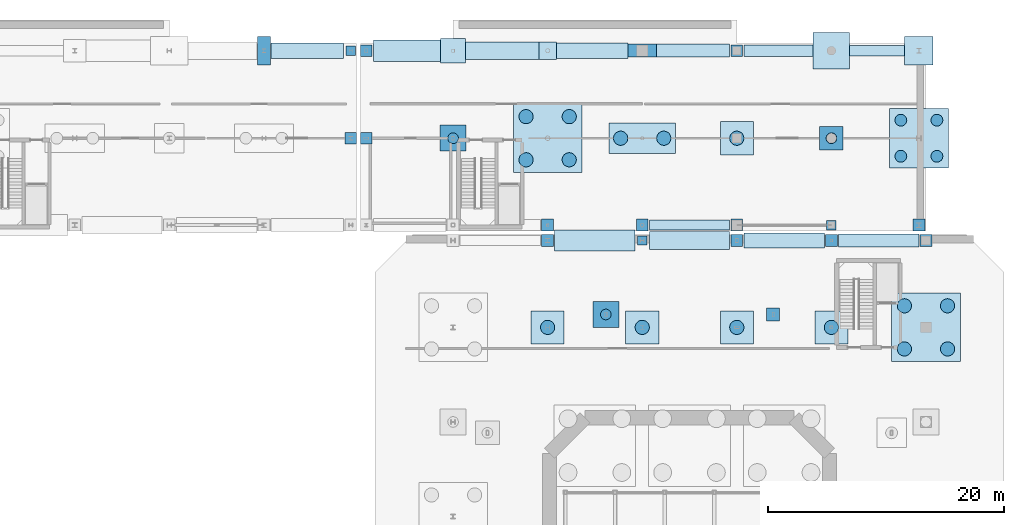
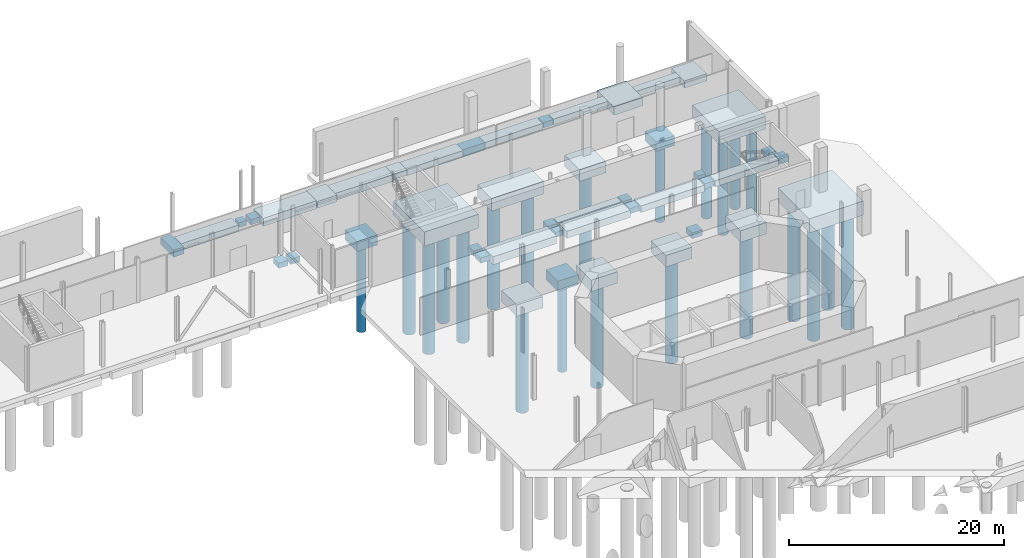
# One storey, part 3 of 33: 46 footings, 22 piles.
"""IFC4 building model written with IfcOpenShell, lengths in metres."""

from ifc_helpers import new_model, si_unit, direction, frame, origin, origin_2d, place, context, subcontext, project, spatial, rectangle, circle, extrude, material, material_profile, profile_set, type_object, element, save


model = new_model("IFC4")

# Units and contexts
model_context = context("Model", 3, precision=1e-05, world=origin(), true_north=direction((0.0, 1.0)))
body_context = subcontext(model_context, "Body", "Model", "MODEL_VIEW")
ifc_project = project(units=[si_unit("LENGTHUNIT", "METRE"), si_unit("AREAUNIT", "SQUARE_METRE"), si_unit("VOLUMEUNIT", "CUBIC_METRE"), si_unit("PLANEANGLEUNIT", "RADIAN"), si_unit("MASSUNIT", "GRAM", prefix="KILO")], contexts=[model_context])

# Site, building, storey
site_placement = place(None, origin())
site = spatial("IfcSite", under=ifc_project, at=site_placement, CompositionType="ELEMENT")
building_placement = place(site_placement, origin())
building = spatial("IfcBuilding", under=site, at=building_placement, Name="Brisemont Oceanarium", CompositionType="ELEMENT")
storey_placement = place(building_placement, frame((0.0, 0.0, -5.39990234375)))
storey = spatial("IfcBuildingStorey", under=building, at=storey_placement, Name="B01", CompositionType="ELEMENT", Elevation=-5.39990234375)

# Footings
ifc_material_1 = material(Name="Concrete C40/50", Category="concrete")
footing_type_1 = type_object("IfcFootingType", Name="FTG-PAD-1000", PredefinedType="PAD_FOOTING", material=ifc_material_1)
for number, where, z_axis, x_axis, name in (
    (1, (72.0, 79.35009765625, -1.150146484375), (0.0, 0.0, 1.0), (1.0, 0.0, 0.0), "PF-15 spread footing at (72.0,79.3)"),
    (2, (88.0, 79.35009765625, -1.150146484375), (0.0, 0.0, 1.0), (1.0, 0.0, 0.0), "PF-15 spread footing at (88.0,79.3)"),
    (3, (96.0, 79.35009765625, -1.150146484375), (0.0, 0.0, 1.0), (1.0, 0.0, 0.0), "PF-15 spread footing at (96.0,79.3)"),
    (4, (104.0, 79.35009765625, -1.150146484375), (0.0, 0.0, 1.0), (1.0, 0.0, 0.0), "PF-15 spread footing at (104.0,79.3)"),
    (5, (55.35009765625, 88.0, -1.150146484375), (0.0, 0.0, 1.0), (1.0, 0.0, 0.0), "PF-15 spread footing at (55.4,88.0)"),
    (6, (56.64990234375, 88.0, -1.150146484375), (0.0, 0.0, 1.0), (1.0, 0.0, 0.0), "PF-15 spread footing at (56.6,88.0)"),
    (7, (56.64990234375, 95.39990234375, -1.150146484375), (0.0, 0.0, 1.0), (1.0, 0.0, 0.0), "PF-15 spread footing at (56.6,95.4)"),
    (8, (72.0, 80.64990234375, -1.150146484375), (0.0, 0.0, 1.0), (1.0, 0.0, 0.0), "PF-15 spread footing at (72.0,80.7)"),
    (9, (80.0, 80.64990234375, -1.150146484375), (0.0, 0.0, 1.0), (1.0, 0.0, 0.0), "PF-15 spread footing at (80.0,80.7)"),
    (10, (88.0, 80.64990234375, -1.150146484375), (0.0, 0.0, 1.0), (1.0, 0.0, 0.0), "PF-15 spread footing at (88.0,80.7)"),
    (11, (88.0, 95.39990234375, -1.150146484375), (0.0, 0.0, 1.0), (1.0, 0.0, 0.0), "PF-15 spread footing at (88.0,95.4)"),
    (12, (103.39990234375, 80.64990234375, -1.150146484375), (0.0, 0.0, 1.0), (1.0, 0.0, 0.0), "PF-15 spread footing at (103.4,80.7)"),
):
    element("IfcFooting", number, at=place(storey_placement, frame(where, z_axis=z_axis, x_axis=x_axis)), inside=storey, type_object=footing_type_1, Name=name, PredefinedType="PAD_FOOTING", context=body_context, shape_type="SweptSolid", body=[
        extrude(rectangle(XDim=1.0, YDim=1.0, at=origin_2d()), origin(), (0.0, 0.0, 1.0), 0.60009765625),
    ])
ifc_material_2 = material(Name="Concrete C40/50", Category="concrete")
footing_type_2 = type_object("IfcFootingType", Name="FTG-PAD-1100", PredefinedType="PAD_FOOTING", material=ifc_material_2)
footing_1_placement = place(storey_placement, frame((91.07958984375, 73.091796875, -1.199951171875), z_axis=(0.0, 0.0, 1.0), x_axis=(1.0, 0.0, 0.0)))
element("IfcFooting", 13, at=footing_1_placement, inside=storey, type_object=footing_type_2, Name="PF-14 spread footing at (91.1,73.1)", PredefinedType="PAD_FOOTING", context=body_context, shape_type="SweptSolid", body=[
    extrude(rectangle(XDim=1.10009765625, YDim=1.10009765625, at=origin_2d()), origin(), (0.0, 0.0, 1.0), 0.64990234375),
])
ifc_material_3 = material(Name="Concrete C40/50", Category="concrete")
footing_type_3 = type_object("IfcFootingType", Name="FTG-PAD-1100X2400", PredefinedType="PAD_FOOTING", material=ifc_material_3)
footing_2_placement = place(storey_placement, frame((48.0, 95.39990234375, -1.35009765625), z_axis=(0.0, 0.0, 1.0), x_axis=(1.0, 0.0, 0.0)))
element("IfcFooting", 14, at=footing_2_placement, inside=storey, type_object=footing_type_3, Name="PF-13 spread footing at (48.0,95.4)", PredefinedType="PAD_FOOTING", context=body_context, shape_type="SweptSolid", body=[
    extrude(rectangle(XDim=1.10009765625, YDim=2.39990234375, at=origin_2d()), origin(), (0.0, 0.0, 1.0), 0.800048828125),
])
ifc_material_4 = material(Name="Concrete C40/50", Category="concrete")
footing_type_4 = type_object("IfcFootingType", Name="FTG-PAD-1500", PredefinedType="PAD_FOOTING", material=ifc_material_4)
footing_3_placement = place(storey_placement, frame((72.0, 95.39990234375, -1.150146484375), z_axis=(0.0, 0.0, 1.0), x_axis=(1.0, 0.0, 0.0)))
element("IfcFooting", 15, at=footing_3_placement, inside=storey, type_object=footing_type_4, Name="PF-09 spread footing at (72.0,95.4)", PredefinedType="PAD_FOOTING", context=body_context, shape_type="SweptSolid", body=[
    extrude(rectangle(XDim=1.5, YDim=1.5, at=origin_2d()), origin(), (0.0, 0.0, 1.0), 0.60009765625),
])
ifc_material_5 = material(Name="Concrete C40/50", Category="concrete")
footing_type_5 = type_object("IfcFootingType", Name="FTG-PAD-2100", PredefinedType="PAD_FOOTING", material=ifc_material_5)
footing_4_placement = place(storey_placement, frame((64.0, 95.39990234375, -1.300048828125), z_axis=(0.0, 0.0, 1.0), x_axis=(1.0, 0.0, 0.0)))
element("IfcFooting", 16, at=footing_4_placement, inside=storey, type_object=footing_type_5, Name="PF-06 spread footing at (64.0,95.4)", PredefinedType="PAD_FOOTING", context=body_context, shape_type="SweptSolid", body=[
    extrude(rectangle(XDim=2.10009765625, YDim=2.10009765625, at=origin_2d()), origin(), (0.0, 0.0, 1.0), 0.75),
])
ifc_material_6 = material(Name="Concrete C40/50", Category="concrete")
footing_type_6 = type_object("IfcFootingType", Name="FTG-PAD-2400", PredefinedType="PAD_FOOTING", material=ifc_material_6)
footing_5_placement = place(storey_placement, frame((103.39990234375, 95.39990234375, -1.35009765625), z_axis=(0.0, 0.0, 1.0), x_axis=(1.0, 0.0, 0.0)))
element("IfcFooting", 17, at=footing_5_placement, inside=storey, type_object=footing_type_6, Name="PF-05 spread footing at (103.4,95.4)", PredefinedType="PAD_FOOTING", context=body_context, shape_type="SweptSolid", body=[
    extrude(rectangle(XDim=2.39990234375, YDim=2.39990234375, at=origin_2d()), origin(), (0.0, 0.0, 1.0), 0.800048828125),
])
ifc_material_7 = material(Name="Concrete C40/50", Category="concrete")
footing_type_7 = type_object("IfcFootingType", Name="FTG-PAD-2400X1100", PredefinedType="PAD_FOOTING", material=ifc_material_7)
footing_6_placement = place(storey_placement, frame((80.0, 95.39990234375, -1.35009765625), z_axis=(0.0, 0.0, 1.0), x_axis=(1.0, 0.0, 0.0)))
element("IfcFooting", 18, at=footing_6_placement, inside=storey, type_object=footing_type_7, Name="PF-12 spread footing at (80.0,95.4)", PredefinedType="PAD_FOOTING", context=body_context, shape_type="SweptSolid", body=[
    extrude(rectangle(XDim=2.39990234375, YDim=1.10009765625, at=origin_2d()), origin(), (0.0, 0.0, 1.0), 0.800048828125),
])
ifc_material_8 = material(Name="Concrete C40/50", Category="concrete")
footing_type_8 = type_object("IfcFootingType", Name="FTG-PAD-3100", PredefinedType="PAD_FOOTING", material=ifc_material_8)
footing_7_placement = place(storey_placement, frame((96.0, 95.39990234375, -1.5), z_axis=(0.0, 0.0, 1.0), x_axis=(1.0, 0.0, 0.0)))
element("IfcFooting", 19, at=footing_7_placement, inside=storey, type_object=footing_type_8, Name="PF-02 spread footing at (96.0,95.4)", PredefinedType="PAD_FOOTING", context=body_context, shape_type="SweptSolid", body=[
    extrude(rectangle(XDim=3.10009765625, YDim=3.10009765625, at=origin_2d()), origin(), (0.0, 0.0, 1.0), 0.949951171875),
])
ifc_material_9 = material(Name="Concrete C40/50", Category="concrete")
footing_type_9 = type_object("IfcFootingType", Name="FTG-PAD-800", PredefinedType="PAD_FOOTING", material=ifc_material_9)
for number, where, z_axis, x_axis, name in (
    (20, (80.0, 79.35009765625, -1.10009765625), (0.0, 0.0, 1.0), (1.0, 0.0, 0.0), "PF-16 spread footing at (80.0,79.3)"),
    (21, (55.35009765625, 95.39990234375, -1.10009765625), (0.0, 0.0, 1.0), (1.0, 0.0, 0.0), "PF-16 spread footing at (55.4,95.4)"),
    (22, (96.0, 80.64990234375, -1.10009765625), (0.0, 0.0, 1.0), (1.0, 0.0, 0.0), "PF-16 spread footing at (96.0,80.7)"),
):
    element("IfcFooting", number, at=place(storey_placement, frame(where, z_axis=z_axis, x_axis=x_axis)), inside=storey, type_object=footing_type_9, Name=name, PredefinedType="PAD_FOOTING", context=body_context, shape_type="SweptSolid", body=[
        extrude(rectangle(XDim=0.800048828125, YDim=0.800048828125, at=origin_2d()), origin(), (0.0, 0.0, 1.0), 0.550048828125),
    ])
ifc_material_10 = material(Name="Concrete C40/50", Category="concrete")
footing_type_10 = type_object("IfcFootingType", Name="FTG-PC-1P-2000", PredefinedType="PILE_CAP", material=ifc_material_10)
footing_8_placement = place(storey_placement, frame((96.0, 88.0, -1.650146484375), z_axis=(0.0, 0.0, 1.0), x_axis=(1.0, 0.0, 0.0)))
element("IfcFooting", 23, at=footing_8_placement, inside=storey, type_object=footing_type_10, Name="PC-11 pile cap at (96.0,88.0)", PredefinedType="PILE_CAP", context=body_context, shape_type="SweptSolid", body=[
    extrude(rectangle(XDim=2.0, YDim=2.0, at=origin_2d()), origin(), (0.0, 0.0, 1.0), 1.10009765625),
])
ifc_material_11 = material(Name="Concrete C40/50", Category="concrete")
footing_type_11 = type_object("IfcFootingType", Name="FTG-PC-1P-2200", PredefinedType="PILE_CAP", material=ifc_material_11)
for number, where, z_axis, x_axis, name in (
    (24, (64.0, 88.0, -1.699951171875), (0.0, 0.0, 1.0), (1.0, 0.0, 0.0), "PC-10 pile cap at (64.0,88.0)"),
    (25, (76.92041015625, 73.091796875, -1.699951171875), (0.0, 0.0, 1.0), (1.0, 0.0, 0.0), "PC-10 pile cap at (76.9,73.1)"),
):
    element("IfcFooting", number, at=place(storey_placement, frame(where, z_axis=z_axis, x_axis=x_axis)), inside=storey, type_object=footing_type_11, Name=name, PredefinedType="PILE_CAP", context=body_context, shape_type="SweptSolid", body=[
        extrude(rectangle(XDim=2.199951171875, YDim=2.199951171875, at=origin_2d()), origin(), (0.0, 0.0, 1.0), 1.14990234375),
    ])
ifc_material_12 = material(Name="Concrete C40/50", Category="concrete")
footing_type_12 = type_object("IfcFootingType", Name="FTG-PC-1P-2800", PredefinedType="PILE_CAP", material=ifc_material_12)
for number, where, z_axis, x_axis, name in (
    (26, (72.0, 72.0, -1.85009765625), (0.0, 0.0, 1.0), (1.0, 0.0, 0.0), "PC-08 pile cap at (72.0,72.0)"),
    (27, (80.0, 72.0, -1.85009765625), (0.0, 0.0, 1.0), (1.0, 0.0, 0.0), "PC-08 pile cap at (80.0,72.0)"),
    (28, (88.0, 72.0, -1.85009765625), (0.0, 0.0, 1.0), (1.0, 0.0, 0.0), "PC-08 pile cap at (88.0,72.0)"),
    (29, (96.0, 72.0, -1.85009765625), (0.0, 0.0, 1.0), (1.0, 0.0, 0.0), "PC-08 pile cap at (96.0,72.0)"),
    (30, (88.0, 88.0, -1.85009765625), (0.0, 0.0, 1.0), (1.0, 0.0, 0.0), "PC-08 pile cap at (88.0,88.0)"),
):
    element("IfcFooting", number, at=place(storey_placement, frame(where, z_axis=z_axis, x_axis=x_axis)), inside=storey, type_object=footing_type_12, Name=name, PredefinedType="PILE_CAP", context=body_context, shape_type="SweptSolid", body=[
        extrude(rectangle(XDim=2.800048828125, YDim=2.800048828125, at=origin_2d()), origin(), (0.0, 0.0, 1.0), 1.300048828125),
    ])
ifc_material_13 = material(Name="Concrete C40/50", Category="concrete")
footing_type_13 = type_object("IfcFootingType", Name="FTG-PC-2P-5600", PredefinedType="PILE_CAP", material=ifc_material_13)
footing_9_placement = place(storey_placement, frame((80.0, 88.0, -2.0), z_axis=(0.0, 0.0, 1.0), x_axis=(1.0, 0.0, 0.0)))
element("IfcFooting", 31, at=footing_9_placement, inside=storey, type_object=footing_type_13, Name="PC-05 pile cap at (80.0,88.0)", PredefinedType="PILE_CAP", context=body_context, shape_type="SweptSolid", body=[
    extrude(rectangle(XDim=5.60009765625, YDim=2.60009765625, at=origin_2d()), origin(), (0.0, 0.0, 1.0), 1.449951171875),
])
ifc_material_14 = material(Name="Concrete C40/50", Category="concrete")
footing_type_14 = type_object("IfcFootingType", Name="FTG-PC-4P-5000", PredefinedType="PILE_CAP", material=ifc_material_14)
footing_10_placement = place(storey_placement, frame((103.39990234375, 88.0, -2.0), z_axis=(0.0, 0.0, 1.0), x_axis=(1.0, 0.0, 0.0)))
element("IfcFooting", 32, at=footing_10_placement, inside=storey, type_object=footing_type_14, Name="PC-03 pile cap at (103.4,88.0)", PredefinedType="PILE_CAP", context=body_context, shape_type="SweptSolid", body=[
    extrude(rectangle(XDim=5.0, YDim=5.0, at=origin_2d()), origin(), (0.0, 0.0, 1.0), 1.449951171875),
])
ifc_material_15 = material(Name="Concrete C40/50", Category="concrete")
footing_type_15 = type_object("IfcFootingType", Name="FTG-PC-4P-5800", PredefinedType="PILE_CAP", material=ifc_material_15)
for number, where, z_axis, x_axis, name in (
    (33, (104.0, 72.0, -2.150146484375), (0.0, 0.0, 1.0), (1.0, 0.0, 0.0), "PC-02 pile cap at (104.0,72.0)"),
    (34, (72.0, 88.0, -2.150146484375), (0.0, 0.0, 1.0), (1.0, 0.0, 0.0), "PC-02 pile cap at (72.0,88.0)"),
):
    element("IfcFooting", number, at=place(storey_placement, frame(where, z_axis=z_axis, x_axis=x_axis)), inside=storey, type_object=footing_type_15, Name=name, PredefinedType="PILE_CAP", context=body_context, shape_type="SweptSolid", body=[
        extrude(rectangle(XDim=5.800048828125, YDim=5.800048828125, at=origin_2d()), origin(), (0.0, 0.0, 1.0), 1.60009765625),
    ])
ifc_material_16 = material(Name="Concrete C40/50", Category="concrete")
footing_type_16 = type_object("IfcFootingType", Name="FTG-SF-1100X700", PredefinedType="STRIP_FOOTING", material=ifc_material_16)
footing_11_placement = place(storey_placement, frame((100.0, 79.35009765625, -1.25), z_axis=(0.0, 0.0, 1.0), x_axis=(1.0, 0.0, 0.0)))
element("IfcFooting", 35, at=footing_11_placement, inside=storey, type_object=footing_type_16, Name="SF-04 continuous strip footing", PredefinedType="STRIP_FOOTING", context=body_context, shape_type="SweptSolid", body=[
    extrude(rectangle(XDim=6.800048828125, YDim=1.10009765625, at=origin_2d()), origin(), (0.0, 0.0, 1.0), 0.699951171875),
])
footing_12_placement = place(storey_placement, frame((84.300048828125, 95.39990234375, -1.25), z_axis=(0.0, 0.0, 1.0), x_axis=(1.0, 0.0, 0.0)))
element("IfcFooting", 36, at=footing_12_placement, inside=storey, type_object=footing_type_16, Name="SF-04 continuous strip footing", PredefinedType="STRIP_FOOTING", context=body_context, shape_type="SweptSolid", body=[
    extrude(rectangle(XDim=6.199951171875, YDim=1.10009765625, at=origin_2d()), origin(), (0.0, 0.0, 1.0), 0.699951171875),
])
ifc_material_17 = material(Name="Concrete C40/50", Category="concrete")
footing_type_17 = type_object("IfcFootingType", Name="FTG-SF-1300X750", PredefinedType="STRIP_FOOTING", material=ifc_material_17)
footing_13_placement = place(storey_placement, frame((92.0, 79.35009765625, -1.300048828125), z_axis=(0.0, 0.0, 1.0), x_axis=(1.0, 0.0, 0.0)))
element("IfcFooting", 37, at=footing_13_placement, inside=storey, type_object=footing_type_17, Name="SF-03 continuous strip footing", PredefinedType="STRIP_FOOTING", context=body_context, shape_type="SweptSolid", body=[
    extrude(rectangle(XDim=6.800048828125, YDim=1.300048828125, at=origin_2d()), origin(), (0.0, 0.0, 1.0), 0.75),
])
footing_14_placement = place(storey_placement, frame((51.675048828125, 95.39990234375, -1.300048828125), z_axis=(0.0, 0.0, 1.0), x_axis=(1.0, 0.0, 0.0)))
element("IfcFooting", 38, at=footing_14_placement, inside=storey, type_object=footing_type_17, Name="SF-03 continuous strip footing", PredefinedType="STRIP_FOOTING", context=body_context, shape_type="SweptSolid", body=[
    extrude(rectangle(XDim=6.14990234375, YDim=1.300048828125, at=origin_2d()), origin(), (0.0, 0.0, 1.0), 0.75),
])
footing_15_placement = place(storey_placement, frame((75.77490234375, 95.39990234375, -1.300048828125), z_axis=(0.0, 0.0, 1.0), x_axis=(1.0, 0.0, 0.0)))
element("IfcFooting", 39, at=footing_15_placement, inside=storey, type_object=footing_type_17, Name="SF-03 continuous strip footing", PredefinedType="STRIP_FOOTING", context=body_context, shape_type="SweptSolid", body=[
    extrude(rectangle(XDim=6.050048828125, YDim=1.300048828125, at=origin_2d()), origin(), (0.0, 0.0, 1.0), 0.75),
])
ifc_material_18 = material(Name="Concrete C40/50", Category="concrete")
footing_type_18 = type_object("IfcFootingType", Name="FTG-SF-1500X800", PredefinedType="STRIP_FOOTING", material=ifc_material_18)
footing_16_placement = place(storey_placement, frame((84.0, 79.35009765625, -1.35009765625), z_axis=(0.0, 0.0, 1.0), x_axis=(1.0, 0.0, 0.0)))
element("IfcFooting", 40, at=footing_16_placement, inside=storey, type_object=footing_type_18, Name="SF-02 continuous strip footing", PredefinedType="STRIP_FOOTING", context=body_context, shape_type="SweptSolid", body=[
    extrude(rectangle(XDim=6.800048828125, YDim=1.5, at=origin_2d()), origin(), (0.0, 0.0, 1.0), 0.800048828125),
])
footing_17_placement = place(storey_placement, frame((68.14990234375, 95.39990234375, -1.35009765625), z_axis=(0.0, 0.0, 1.0), x_axis=(1.0, 0.0, 0.0)))
element("IfcFooting", 41, at=footing_17_placement, inside=storey, type_object=footing_type_18, Name="SF-02 continuous strip footing", PredefinedType="STRIP_FOOTING", context=body_context, shape_type="SweptSolid", body=[
    extrude(rectangle(XDim=6.199951171875, YDim=1.5, at=origin_2d()), origin(), (0.0, 0.0, 1.0), 0.800048828125),
])
ifc_material_19 = material(Name="Concrete C40/50", Category="concrete")
footing_type_19 = type_object("IfcFootingType", Name="FTG-SF-1800X900", PredefinedType="STRIP_FOOTING", material=ifc_material_19)
footing_18_placement = place(storey_placement, frame((76.0, 79.35009765625, -1.449951171875), z_axis=(0.0, 0.0, 1.0), x_axis=(1.0, 0.0, 0.0)))
element("IfcFooting", 42, at=footing_18_placement, inside=storey, type_object=footing_type_19, Name="SF-01 continuous strip footing", PredefinedType="STRIP_FOOTING", context=body_context, shape_type="SweptSolid", body=[
    extrude(rectangle(XDim=6.800048828125, YDim=1.800048828125, at=origin_2d()), origin(), (0.0, 0.0, 1.0), 0.89990234375),
])
footing_19_placement = place(storey_placement, frame((60.10009765625, 95.39990234375, -1.449951171875), z_axis=(0.0, 0.0, 1.0), x_axis=(1.0, 0.0, 0.0)))
element("IfcFooting", 43, at=footing_19_placement, inside=storey, type_object=footing_type_19, Name="SF-01 continuous strip footing", PredefinedType="STRIP_FOOTING", context=body_context, shape_type="SweptSolid", body=[
    extrude(rectangle(XDim=5.699951171875, YDim=1.800048828125, at=origin_2d()), origin(), (0.0, 0.0, 1.0), 0.89990234375),
])
ifc_material_20 = material(Name="Concrete C40/50", Category="concrete")
footing_type_20 = type_object("IfcFootingType", Name="FTG-SF-850X600", PredefinedType="STRIP_FOOTING", material=ifc_material_20)
footing_20_placement = place(storey_placement, frame((84.0, 80.64990234375, -1.150146484375), z_axis=(0.0, 0.0, 1.0), x_axis=(1.0, 0.0, 0.0)))
element("IfcFooting", 44, at=footing_20_placement, inside=storey, type_object=footing_type_20, Name="SF-06 continuous strip footing", PredefinedType="STRIP_FOOTING", context=body_context, shape_type="SweptSolid", body=[
    extrude(rectangle(XDim=6.800048828125, YDim=0.85009765625, at=origin_2d()), origin(), (0.0, 0.0, 1.0), 0.60009765625),
])
footing_21_placement = place(storey_placement, frame((99.875, 95.39990234375, -1.150146484375), z_axis=(0.0, 0.0, 1.0), x_axis=(1.0, 0.0, 0.0)))
element("IfcFooting", 45, at=footing_21_placement, inside=storey, type_object=footing_type_20, Name="SF-06 continuous strip footing", PredefinedType="STRIP_FOOTING", context=body_context, shape_type="SweptSolid", body=[
    extrude(rectangle(XDim=4.64990234375, YDim=0.85009765625, at=origin_2d()), origin(), (0.0, 0.0, 1.0), 0.60009765625),
])
ifc_material_21 = material(Name="Concrete C40/50", Category="concrete")
footing_type_21 = type_object("IfcFootingType", Name="FTG-SF-950X650", PredefinedType="STRIP_FOOTING", material=ifc_material_21)
footing_22_placement = place(storey_placement, frame((91.52490234375, 95.39990234375, -1.199951171875), z_axis=(0.0, 0.0, 1.0), x_axis=(1.0, 0.0, 0.0)))
element("IfcFooting", 46, at=footing_22_placement, inside=storey, type_object=footing_type_21, Name="SF-05 continuous strip footing", PredefinedType="STRIP_FOOTING", context=body_context, shape_type="SweptSolid", body=[
    extrude(rectangle(XDim=5.85009765625, YDim=0.949951171875, at=origin_2d()), origin(), (0.0, 0.0, 1.0), 0.64990234375),
])

# Piles
ifc_material_22 = material(Name="Concrete C40/50", Category="concrete")
ifc_material_profile_1 = material_profile(ifc_material_22, circle(Radius=0.5, at=origin_2d()), Name="CIDH-D1000")
ifc_profile_set_1 = profile_set([ifc_material_profile_1], Name="Concrete C40/50")
pile_type_1 = type_object("IfcPileType", Name="PIL-CIDH-1000-11", PredefinedType="BORED", material=ifc_profile_set_1)
for number, where, z_axis, x_axis, name in (
    (47, (101.875, 86.47509765625, -1.900146484375), (0.0, 0.0, -1.0), (1.0, 0.0, 0.0), "P-04 rock-socketed shaft 1"),
    (48, (104.925048828125, 86.47509765625, -1.900146484375), (0.0, 0.0, -1.0), (1.0, 0.0, 0.0), "P-04 rock-socketed shaft 2"),
    (49, (101.875, 89.52490234375, -1.900146484375), (0.0, 0.0, -1.0), (1.0, 0.0, 0.0), "P-04 rock-socketed shaft 3"),
    (50, (104.925048828125, 89.52490234375, -1.900146484375), (0.0, 0.0, -1.0), (1.0, 0.0, 0.0), "P-04 rock-socketed shaft 4"),
):
    element("IfcPile", number, at=place(storey_placement, frame(where, z_axis=z_axis, x_axis=x_axis)), inside=storey, type_object=pile_type_1, Name=name, PredefinedType="BORED", context=body_context, shape_type="SweptSolid", body=[
        extrude(circle(Radius=0.5, at=origin_2d()), origin(), (0.0, 0.0, 1.0), 11.0),
    ])
ifc_material_23 = material(Name="Concrete C40/50", Category="concrete")
ifc_material_profile_2 = material_profile(ifc_material_23, circle(Radius=0.60009765625, at=origin_2d()), Name="CIDH-D1200")
ifc_profile_set_2 = profile_set([ifc_material_profile_2], Name="Concrete C40/50")
pile_type_2 = type_object("IfcPileType", Name="PIL-CIDH-1200-12", PredefinedType="BORED", material=ifc_profile_set_2)
for number, where, z_axis, x_axis, name in (
    (51, (72.0, 72.0, -1.75), (0.0, 0.0, -1.0), (1.0, 0.0, 0.0), "P-03 rock-socketed shaft 1"),
    (52, (80.0, 72.0, -1.75), (0.0, 0.0, -1.0), (1.0, 0.0, 0.0), "P-03 rock-socketed shaft 1"),
    (53, (88.0, 72.0, -1.75), (0.0, 0.0, -1.0), (1.0, 0.0, 0.0), "P-03 rock-socketed shaft 1"),
    (54, (96.0, 72.0, -1.75), (0.0, 0.0, -1.0), (1.0, 0.0, 0.0), "P-03 rock-socketed shaft 1"),
    (55, (78.175048828125, 88.0, -1.900146484375), (0.0, 0.0, -1.0), (1.0, 0.0, 0.0), "P-03 rock-socketed shaft 1"),
    (56, (81.824951171875, 88.0, -1.900146484375), (0.0, 0.0, -1.0), (1.0, 0.0, 0.0), "P-03 rock-socketed shaft 2"),
    (57, (88.0, 88.0, -1.75), (0.0, 0.0, -1.0), (1.0, 0.0, 0.0), "P-03 rock-socketed shaft 1"),
):
    element("IfcPile", number, at=place(storey_placement, frame(where, z_axis=z_axis, x_axis=x_axis)), inside=storey, type_object=pile_type_2, Name=name, PredefinedType="BORED", context=body_context, shape_type="SweptSolid", body=[
        extrude(circle(Radius=0.60009765625, at=origin_2d()), origin(), (0.0, 0.0, 1.0), 12.0),
    ])
ifc_material_24 = material(Name="Concrete C40/50", Category="concrete")
ifc_material_profile_3 = material_profile(ifc_material_24, circle(Radius=0.60009765625, at=origin_2d()), Name="CIDH-D1200")
ifc_profile_set_3 = profile_set([ifc_material_profile_3], Name="Concrete C40/50")
pile_type_3 = type_object("IfcPileType", Name="PIL-CIDH-1200-13", PredefinedType="BORED", material=ifc_profile_set_3)
for number, where, z_axis, x_axis, name in (
    (58, (102.175048828125, 70.175048828125, -2.050048828125), (0.0, 0.0, -1.0), (1.0, 0.0, 0.0), "P-02 rock-socketed shaft 1"),
    (59, (105.824951171875, 70.175048828125, -2.050048828125), (0.0, 0.0, -1.0), (1.0, 0.0, 0.0), "P-02 rock-socketed shaft 2"),
    (60, (102.175048828125, 73.824951171875, -2.050048828125), (0.0, 0.0, -1.0), (1.0, 0.0, 0.0), "P-02 rock-socketed shaft 3"),
    (61, (105.824951171875, 73.824951171875, -2.050048828125), (0.0, 0.0, -1.0), (1.0, 0.0, 0.0), "P-02 rock-socketed shaft 4"),
    (62, (70.175048828125, 86.175048828125, -2.050048828125), (0.0, 0.0, -1.0), (1.0, 0.0, 0.0), "P-02 rock-socketed shaft 1"),
    (63, (73.824951171875, 86.175048828125, -2.050048828125), (0.0, 0.0, -1.0), (1.0, 0.0, 0.0), "P-02 rock-socketed shaft 2"),
    (64, (70.175048828125, 89.824951171875, -2.050048828125), (0.0, 0.0, -1.0), (1.0, 0.0, 0.0), "P-02 rock-socketed shaft 3"),
    (65, (73.824951171875, 89.824951171875, -2.050048828125), (0.0, 0.0, -1.0), (1.0, 0.0, 0.0), "P-02 rock-socketed shaft 4"),
):
    element("IfcPile", number, at=place(storey_placement, frame(where, z_axis=z_axis, x_axis=x_axis)), inside=storey, type_object=pile_type_3, Name=name, PredefinedType="BORED", context=body_context, shape_type="SweptSolid", body=[
        extrude(circle(Radius=0.60009765625, at=origin_2d()), origin(), (0.0, 0.0, 1.0), 13.0),
    ])
ifc_material_25 = material(Name="Concrete C40/50", Category="concrete")
ifc_material_profile_4 = material_profile(ifc_material_25, circle(Radius=0.449951171875, at=origin_2d()), Name="CIDH-D900")
ifc_profile_set_4 = profile_set([ifc_material_profile_4], Name="Concrete C40/50")
pile_type_4 = type_object("IfcPileType", Name="PIL-CIDH-900-09", PredefinedType="BORED", material=ifc_profile_set_4)
pile_placement = place(storey_placement, frame((96.0, 88.0, -1.550048828125), z_axis=(0.0, 0.0, -1.0), x_axis=(1.0, 0.0, 0.0)))
element("IfcPile", 66, at=pile_placement, inside=storey, type_object=pile_type_4, Name="P-07 rock-socketed shaft 1", PredefinedType="BORED", context=body_context, shape_type="SweptSolid", body=[
    extrude(circle(Radius=0.449951171875, at=origin_2d()), origin(), (0.0, 0.0, 1.0), 8.800048828125),
])
ifc_material_26 = material(Name="Concrete C40/50", Category="concrete")
ifc_material_profile_5 = material_profile(ifc_material_26, circle(Radius=0.449951171875, at=origin_2d()), Name="CIDH-D900")
ifc_profile_set_5 = profile_set([ifc_material_profile_5], Name="Concrete C40/50")
pile_type_5 = type_object("IfcPileType", Name="PIL-CIDH-900-10", PredefinedType="BORED", material=ifc_profile_set_5)
for number, where, z_axis, x_axis, name in (
    (67, (64.0, 88.0, -1.60009765625), (0.0, 0.0, -1.0), (1.0, 0.0, 0.0), "P-06 rock-socketed shaft 1"),
    (68, (76.92041015625, 73.091796875, -1.60009765625), (0.0, 0.0, -1.0), (1.0, 0.0, 0.0), "P-06 rock-socketed shaft 1"),
):
    element("IfcPile", number, at=place(storey_placement, frame(where, z_axis=z_axis, x_axis=x_axis)), inside=storey, type_object=pile_type_5, Name=name, PredefinedType="BORED", context=body_context, shape_type="SweptSolid", body=[
        extrude(circle(Radius=0.449951171875, at=origin_2d()), origin(), (0.0, 0.0, 1.0), 10.0),
    ])

save(model, "model.ifc")
